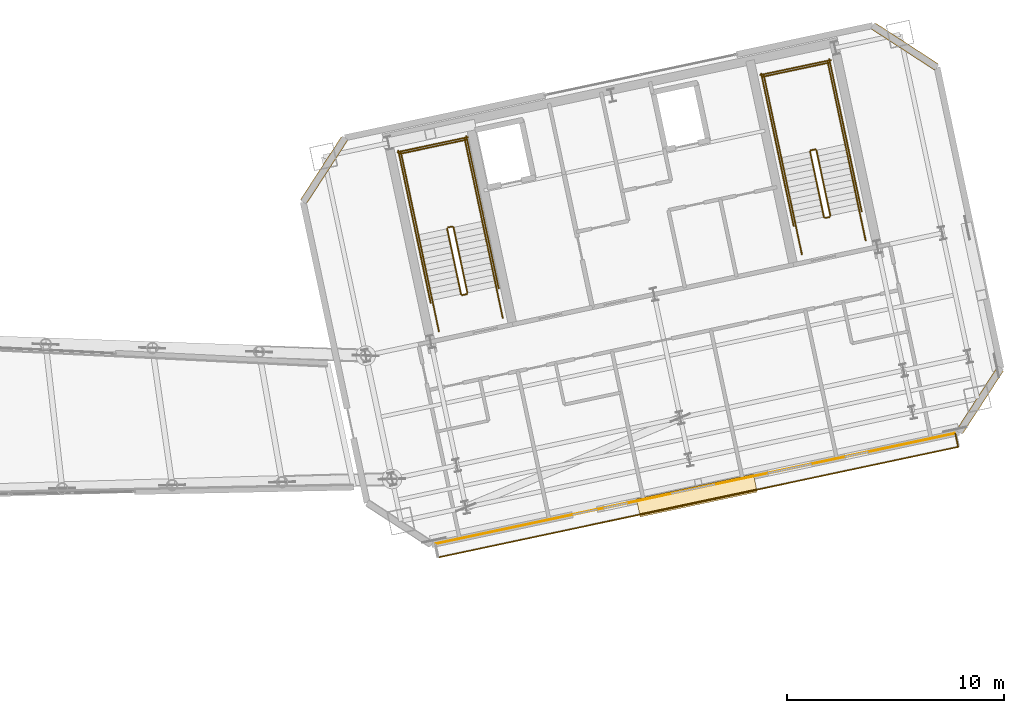
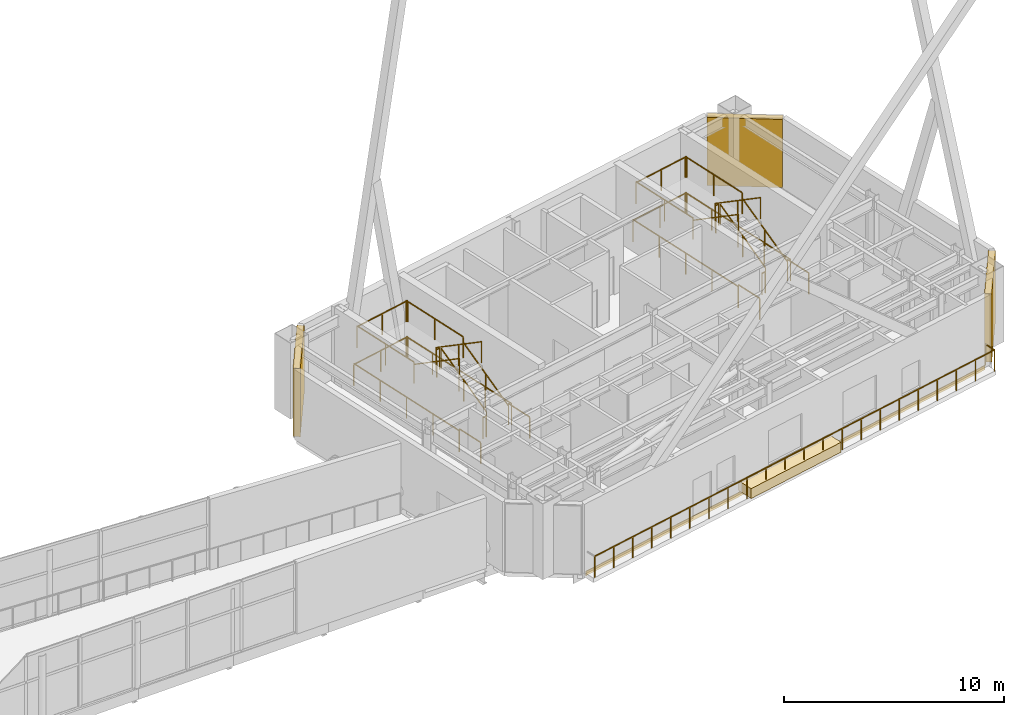
# One storey, part 23 of 23: 30 railings, 3 shading devices, 2 coverings.
"""IFC4 building model written with IfcOpenShell, lengths in metres."""

from ifc_helpers import new_model, si_unit, direction, frame, origin, origin_2d, place, context, subcontext, project, spatial, rectangle, extrude, material, layer, layer_set, type_object, element, save


model = new_model("IFC4")

# Units and contexts
model_context = context("Model", 3, precision=1e-05, world=origin(), true_north=direction((0.0, 1.0)))
body_context = subcontext(model_context, "Body", "Model", "MODEL_VIEW")
ifc_project = project(units=[si_unit("LENGTHUNIT", "METRE"), si_unit("AREAUNIT", "SQUARE_METRE"), si_unit("VOLUMEUNIT", "CUBIC_METRE"), si_unit("PLANEANGLEUNIT", "RADIAN"), si_unit("MASSUNIT", "GRAM", prefix="KILO")], contexts=[model_context])

# Site, building, storey
site_placement = place(None, origin())
site = spatial("IfcSite", under=ifc_project, at=site_placement, CompositionType="ELEMENT")
building_placement = place(site_placement, origin())
building = spatial("IfcBuilding", under=site, at=building_placement, Name="Haevon Station Towers", CompositionType="ELEMENT")
storey_placement = place(building_placement, frame((0.0, 0.0, 197.10009765625)))
storey = spatial("IfcBuildingStorey", under=building, at=storey_placement, Name="L54", CompositionType="ELEMENT", Elevation=197.10009765625)

# Covering
ifc_material_1 = material(Name="Anodised aluminium 6063-T6", Category="aluminium")
ifc_layer_1 = layer(ifc_material_1, 0.0400390625)
ifc_layer_set_1 = layer_set([ifc_layer_1], Name="Anodised aluminium 6063-T6")
covering_type_1 = type_object("IfcCoveringType", Name="COV-CLAD40", PredefinedType="CLADDING", material=ifc_layer_set_1)
covering_1_placement = place(storey_placement, frame((110.921142578125, 30.695068359375, -0.240234375), z_axis=(0.0, 0.0, 1.0), x_axis=(0.978147600734, 0.207911690818, 0.0)))
element("IfcCovering", 1, at=covering_1_placement, inside=storey, type_object=covering_type_1, Name="Tower 2 L54 Spandrel Fascia Cladding", PredefinedType="CLADDING", context=body_context, shape_type="SweptSolid", body=[
    extrude(rectangle(XDim=24.39990234375, YDim=0.0400390625, at=origin_2d()), origin(), (0.0, 0.0, 1.0), 0.239990234375),
])

# Railings
ifc_material_2 = material(Name="Steel S355", Category="steel")
railing_type_1 = type_object("IfcRailingType", Name="GRD-EXT1200", PredefinedType="GUARDRAIL", material=ifc_material_2)
railing_1_placement = place(storey_placement, frame((99.100830078125, 27.5302734375, 0.0)))
element("IfcRailing", 2, at=railing_1_placement, inside=storey, type_object=railing_type_1, Name="L54 Perimeter Guardrail 1", PredefinedType="GUARDRAIL", context=body_context, shape_type="SweptSolid", body=[
    extrude(rectangle(XDim=0.048095703125, YDim=0.048095703125, at=origin_2d()), frame((0.0, 0.0, 1.17578125), z_axis=(0.978148262927, 0.207908575418, 0.0), x_axis=(-0.207908575418, 0.978148262927, 0.0)), (0.0, 0.0, 1.0), 24.440185546875),
    extrude(rectangle(XDim=0.0419921875, YDim=0.0419921875, at=origin_2d()), origin(), (0.0, 0.0, 1.0), 1.15185546875),
    extrude(rectangle(XDim=0.0419921875, YDim=0.0419921875, at=origin_2d()), frame((1.138427734375, 0.241943359375, 0.0)), (0.0, 0.0, 1.0), 1.15185546875),
    extrude(rectangle(XDim=0.0419921875, YDim=0.0419921875, at=origin_2d()), frame((2.27685546875, 0.48388671875, 0.0)), (0.0, 0.0, 1.0), 1.15185546875),
    extrude(rectangle(XDim=0.0419921875, YDim=0.0419921875, at=origin_2d()), frame((3.4150390625, 0.725830078125, 0.0)), (0.0, 0.0, 1.0), 1.15185546875),
    extrude(rectangle(XDim=0.0419921875, YDim=0.0419921875, at=origin_2d()), frame((4.553466796875, 0.9677734375, 0.0)), (0.0, 0.0, 1.0), 1.15185546875),
    extrude(rectangle(XDim=0.0419921875, YDim=0.0419921875, at=origin_2d()), frame((5.69189453125, 1.209716796875, 0.0)), (0.0, 0.0, 1.0), 1.15185546875),
    extrude(rectangle(XDim=0.0419921875, YDim=0.0419921875, at=origin_2d()), frame((6.830322265625, 1.451904296875, 0.0)), (0.0, 0.0, 1.0), 1.15185546875),
    extrude(rectangle(XDim=0.0419921875, YDim=0.0419921875, at=origin_2d()), frame((7.96875, 1.69384765625, 0.0)), (0.0, 0.0, 1.0), 1.15185546875),
    extrude(rectangle(XDim=0.0419921875, YDim=0.0419921875, at=origin_2d()), frame((9.10693359375, 1.935791015625, 0.0)), (0.0, 0.0, 1.0), 1.15185546875),
    extrude(rectangle(XDim=0.0419921875, YDim=0.0419921875, at=origin_2d()), frame((10.245361328125, 2.177734375, 0.0)), (0.0, 0.0, 1.0), 1.15185546875),
    extrude(rectangle(XDim=0.0419921875, YDim=0.0419921875, at=origin_2d()), frame((11.3837890625, 2.419677734375, 0.0)), (0.0, 0.0, 1.0), 1.15185546875),
    extrude(rectangle(XDim=0.0419921875, YDim=0.0419921875, at=origin_2d()), frame((12.522216796875, 2.66162109375, 0.0)), (0.0, 0.0, 1.0), 1.15185546875),
    extrude(rectangle(XDim=0.0419921875, YDim=0.0419921875, at=origin_2d()), frame((13.66064453125, 2.903564453125, 0.0)), (0.0, 0.0, 1.0), 1.15185546875),
    extrude(rectangle(XDim=0.0419921875, YDim=0.0419921875, at=origin_2d()), frame((14.799072265625, 3.1455078125, 0.0)), (0.0, 0.0, 1.0), 1.15185546875),
    extrude(rectangle(XDim=0.0419921875, YDim=0.0419921875, at=origin_2d()), frame((15.937255859375, 3.387451171875, 0.0)), (0.0, 0.0, 1.0), 1.15185546875),
    extrude(rectangle(XDim=0.0419921875, YDim=0.0419921875, at=origin_2d()), frame((17.07568359375, 3.62939453125, 0.0)), (0.0, 0.0, 1.0), 1.15185546875),
    extrude(rectangle(XDim=0.0419921875, YDim=0.0419921875, at=origin_2d()), frame((18.214111328125, 3.87158203125, 0.0)), (0.0, 0.0, 1.0), 1.15185546875),
    extrude(rectangle(XDim=0.0419921875, YDim=0.0419921875, at=origin_2d()), frame((19.3525390625, 4.113525390625, 0.0)), (0.0, 0.0, 1.0), 1.15185546875),
    extrude(rectangle(XDim=0.0419921875, YDim=0.0419921875, at=origin_2d()), frame((20.490966796875, 4.35546875, 0.0)), (0.0, 0.0, 1.0), 1.15185546875),
    extrude(rectangle(XDim=0.0419921875, YDim=0.0419921875, at=origin_2d()), frame((21.629150390625, 4.597412109375, 0.0)), (0.0, 0.0, 1.0), 1.15185546875),
    extrude(rectangle(XDim=0.0419921875, YDim=0.0419921875, at=origin_2d()), frame((22.767578125, 4.83935546875, 0.0)), (0.0, 0.0, 1.0), 1.15185546875),
    extrude(rectangle(XDim=0.0419921875, YDim=0.0419921875, at=origin_2d()), frame((23.906005859375, 5.081298828125, 0.0)), (0.0, 0.0, 1.0), 1.15185546875),
])
railing_2_placement = place(storey_placement, frame((123.0068359375, 32.611572265625, 0.0)))
element("IfcRailing", 3, at=railing_2_placement, inside=storey, type_object=railing_type_1, Name="L54 Perimeter Guardrail 2", PredefinedType="GUARDRAIL", context=body_context, shape_type="SweptSolid", body=[
    extrude(rectangle(XDim=0.048095703125, YDim=0.048095703125, at=origin_2d()), frame((0.0, 0.0, 1.17578125), z_axis=(-0.208154897238, 0.97809587401, 0.0), x_axis=(-0.97809587401, -0.208154897238, 0.0)), (0.0, 0.0, 1.0), 0.631103515625),
    extrude(rectangle(XDim=0.0419921875, YDim=0.0419921875, at=origin_2d()), origin(), (0.0, 0.0, 1.0), 1.15185546875),
    extrude(rectangle(XDim=0.0419921875, YDim=0.0419921875, at=origin_2d()), frame((-0.13134765625, 0.6171875, 0.0)), (0.0, 0.0, 1.0), 1.15185546875),
])
railing_type_2 = type_object("IfcRailingType", Name="GRD-STR1200", PredefinedType="GUARDRAIL", material=ifc_material_2)
railing_3_placement = place(storey_placement, frame((100.44140625, 39.69287109375, 0.1748046875)))
element("IfcRailing", 4, at=railing_3_placement, inside=storey, type_object=railing_type_2, Name="L54 ST3 Stair Guard 1", PredefinedType="GUARDRAIL", context=body_context, shape_type="SweptSolid", body=[
    extrude(rectangle(XDim=0.048095703125, YDim=0.048095703125, at=origin_2d()), frame((0.0, 0.0, 1.17578125), z_axis=(-0.176310905062, 0.829461139329, 0.53000819154), x_axis=(-0.978146762005, -0.207915636689, 0.0)), (0.0, 0.0, 1.0), 3.632080078125),
    extrude(rectangle(XDim=0.0419921875, YDim=0.0419921875, at=origin_2d()), origin(), (0.0, 0.0, 1.0), 1.15185546875),
    extrude(rectangle(XDim=0.0419921875, YDim=0.0419921875, at=origin_2d()), frame((-0.3203125, 1.50634765625, 0.96240234375)), (0.0, 0.0, 1.0), 1.15185546875),
    extrude(rectangle(XDim=0.0419921875, YDim=0.0419921875, at=origin_2d()), frame((-0.640380859375, 3.0126953125, 1.925048828125)), (0.0, 0.0, 1.0), 1.15185546875),
])
railing_4_placement = place(storey_placement, frame((99.74169921875, 42.743896484375, 2.099853515625)))
element("IfcRailing", 5, at=railing_4_placement, inside=storey, type_object=railing_type_2, Name="L54 ST3 Stair Guard 2", PredefinedType="GUARDRAIL", context=body_context, shape_type="SweptSolid", body=[
    extrude(rectangle(XDim=0.048095703125, YDim=0.048095703125, at=origin_2d()), frame((0.0, 0.0, 1.17578125), z_axis=(-0.978211583308, -0.207610448392, 0.0), x_axis=(0.207610448392, -0.978211583308, 0.0)), (0.0, 0.0, 1.0), 0.199951171875),
    extrude(rectangle(XDim=0.0419921875, YDim=0.0419921875, at=origin_2d()), origin(), (0.0, 0.0, 1.0), 1.15185546875),
    extrude(rectangle(XDim=0.0419921875, YDim=0.0419921875, at=origin_2d()), frame((-0.195556640625, -0.04150390625, 0.0)), (0.0, 0.0, 1.0), 1.15185546875),
])
railing_5_placement = place(storey_placement, frame((101.12158203125, 42.986083984375, 2.099853515625)))
element("IfcRailing", 6, at=railing_5_placement, inside=storey, type_object=railing_type_2, Name="L54 ST3 Stair Guard 3", PredefinedType="GUARDRAIL", context=body_context, shape_type="SweptSolid", body=[
    extrude(rectangle(XDim=0.048095703125, YDim=0.048095703125, at=origin_2d()), frame((0.0, 0.0, 1.17578125), z_axis=(-0.207930432828, 0.978143616809, 0.0), x_axis=(-0.978143616809, -0.207930432828, 0.0)), (0.0, 0.0, 1.0), 3.869873046875),
    extrude(rectangle(XDim=0.0419921875, YDim=0.0419921875, at=origin_2d()), origin(), (0.0, 0.0, 1.0), 1.15185546875),
    extrude(rectangle(XDim=0.0419921875, YDim=0.0419921875, at=origin_2d()), frame((-0.40234375, 1.892578125, 0.0)), (0.0, 0.0, 1.0), 1.15185546875),
    extrude(rectangle(XDim=0.0419921875, YDim=0.0419921875, at=origin_2d()), frame((-0.8046875, 3.785400390625, 0.0)), (0.0, 0.0, 1.0), 1.15185546875),
])
railing_6_placement = place(storey_placement, frame((98.18701171875, 42.3623046875, 2.099853515625)))
element("IfcRailing", 7, at=railing_6_placement, inside=storey, type_object=railing_type_2, Name="L54 ST3 Stair Guard 4", PredefinedType="GUARDRAIL", context=body_context, shape_type="SweptSolid", body=[
    extrude(rectangle(XDim=0.048095703125, YDim=0.048095703125, at=origin_2d()), frame((0.0, 0.0, 1.17578125), z_axis=(-0.207857246892, 0.978159171564, 0.0), x_axis=(-0.978159171564, -0.207857246892, 0.0)), (0.0, 0.0, 1.0), 3.8701171875),
    extrude(rectangle(XDim=0.0419921875, YDim=0.0419921875, at=origin_2d()), origin(), (0.0, 0.0, 1.0), 1.15185546875),
    extrude(rectangle(XDim=0.0419921875, YDim=0.0419921875, at=origin_2d()), frame((-0.40234375, 1.892822265625, 0.0)), (0.0, 0.0, 1.0), 1.15185546875),
    extrude(rectangle(XDim=0.0419921875, YDim=0.0419921875, at=origin_2d()), frame((-0.804443359375, 3.78564453125, 0.0)), (0.0, 0.0, 1.0), 1.15185546875),
])
railing_7_placement = place(storey_placement, frame((100.376220703125, 46.733154296875, 2.099853515625)))
element("IfcRailing", 8, at=railing_7_placement, inside=storey, type_object=railing_type_2, Name="L54 ST3 Stair Guard 5", PredefinedType="GUARDRAIL", context=body_context, shape_type="SweptSolid", body=[
    extrude(rectangle(XDim=0.048095703125, YDim=0.048095703125, at=origin_2d()), frame((0.0, 0.0, 1.17578125), z_axis=(-0.978146839882, -0.207915270313, 0.0), x_axis=(0.207915270313, -0.978146839882, 0.0)), (0.0, 0.0, 1.0), 3.099853515625),
    extrude(rectangle(XDim=0.0419921875, YDim=0.0419921875, at=origin_2d()), origin(), (0.0, 0.0, 1.0), 1.15185546875),
    extrude(rectangle(XDim=0.0419921875, YDim=0.0419921875, at=origin_2d()), frame((-1.51611328125, -0.322265625, 0.0)), (0.0, 0.0, 1.0), 1.15185546875),
    extrude(rectangle(XDim=0.0419921875, YDim=0.0419921875, at=origin_2d()), frame((-3.0322265625, -0.64453125, 0.0)), (0.0, 0.0, 1.0), 1.15185546875),
])
railing_8_placement = place(storey_placement, frame((99.507568359375, 42.64306640625, 2.27490234375)))
element("IfcRailing", 9, at=railing_8_placement, inside=storey, type_object=railing_type_2, Name="L54 ST3 Stair Guard 6", PredefinedType="GUARDRAIL", context=body_context, shape_type="SweptSolid", body=[
    extrude(rectangle(XDim=0.048095703125, YDim=0.048095703125, at=origin_2d()), frame((0.0, 0.0, 1.17578125), z_axis=(0.176310905062, -0.829461139329, 0.53000819154), x_axis=(0.978146762005, 0.207915636689, 0.0)), (0.0, 0.0, 1.0), 3.632080078125),
    extrude(rectangle(XDim=0.0419921875, YDim=0.0419921875, at=origin_2d()), origin(), (0.0, 0.0, 1.0), 1.15185546875),
    extrude(rectangle(XDim=0.0419921875, YDim=0.0419921875, at=origin_2d()), frame((0.3203125, -1.50634765625, 0.96240234375)), (0.0, 0.0, 1.0), 1.15185546875),
    extrude(rectangle(XDim=0.0419921875, YDim=0.0419921875, at=origin_2d()), frame((0.640380859375, -3.0126953125, 1.925048828125)), (0.0, 0.0, 1.0), 1.15185546875),
])
railing_9_placement = place(storey_placement, frame((100.40283203125, 39.633544921875, 0.0)))
element("IfcRailing", 10, at=railing_9_placement, inside=storey, type_object=railing_type_2, Name="L54 ST3 Stair Guard 7", PredefinedType="GUARDRAIL", context=body_context, shape_type="SweptSolid", body=[
    extrude(rectangle(XDim=0.048095703125, YDim=0.048095703125, at=origin_2d()), frame((0.0, 0.0, 1.17578125), z_axis=(-0.977962931203, -0.208778603291, 0.0), x_axis=(0.208778603291, -0.977962931203, 0.0)), (0.0, 0.0, 1.0), 0.199951171875),
    extrude(rectangle(XDim=0.0419921875, YDim=0.0419921875, at=origin_2d()), origin(), (0.0, 0.0, 1.0), 1.15185546875),
    extrude(rectangle(XDim=0.0419921875, YDim=0.0419921875, at=origin_2d()), frame((-0.195556640625, -0.041748046875, 0.0)), (0.0, 0.0, 1.0), 1.15185546875),
])
for number, where, name in (
    (11, (102.0634765625, 38.55517578125, 0.0), "L54 ST3 Stair Guard 8"),
    (12, (99.12890625, 37.931396484375, 0.0), "L54 ST3 Stair Guard 9"),
):
    element("IfcRailing", number, at=place(storey_placement, frame(where)), inside=storey, type_object=railing_type_2, Name=name, PredefinedType="GUARDRAIL", context=body_context, shape_type="SweptSolid", body=[
        extrude(rectangle(XDim=0.048095703125, YDim=0.048095703125, at=origin_2d()), frame((0.0, 0.0, 1.17578125), z_axis=(-0.207953405961, 0.978138732977, 0.0), x_axis=(-0.978138732977, -0.207953405961, 0.0)), (0.0, 0.0, 1.0), 1.449951171875),
        extrude(rectangle(XDim=0.0419921875, YDim=0.0419921875, at=origin_2d()), origin(), (0.0, 0.0, 1.0), 1.15185546875),
        extrude(rectangle(XDim=0.0419921875, YDim=0.0419921875, at=origin_2d()), frame((-0.301513671875, 1.418212890625, 0.0)), (0.0, 0.0, 1.0), 1.15185546875),
    ])
railing_10_placement = place(storey_placement, frame((101.88037109375, 39.896484375, 0.0)))
element("IfcRailing", 13, at=railing_10_placement, inside=storey, type_object=railing_type_2, Name="L54 ST3 Stair Guard 10", PredefinedType="GUARDRAIL", context=body_context, shape_type="SweptSolid", body=[
    extrude(rectangle(XDim=0.048095703125, YDim=0.048095703125, at=origin_2d()), frame((0.0, 0.0, 1.17578125), z_axis=(-0.207882442208, 0.978153817261, 0.0), x_axis=(-0.978153817261, -0.207882442208, 0.0)), (0.0, 0.0, 1.0), 7.14990234375),
    extrude(rectangle(XDim=0.0419921875, YDim=0.0419921875, at=origin_2d()), origin(), (0.0, 0.0, 1.0), 1.15185546875),
    extrude(rectangle(XDim=0.0419921875, YDim=0.0419921875, at=origin_2d()), frame((-0.37158203125, 1.74853515625, 0.0)), (0.0, 0.0, 1.0), 1.15185546875),
    extrude(rectangle(XDim=0.0419921875, YDim=0.0419921875, at=origin_2d()), frame((-0.7431640625, 3.496826171875, 0.0)), (0.0, 0.0, 1.0), 1.15185546875),
    extrude(rectangle(XDim=0.0419921875, YDim=0.0419921875, at=origin_2d()), frame((-1.11474609375, 5.2451171875, 0.0)), (0.0, 0.0, 1.0), 1.15185546875),
    extrude(rectangle(XDim=0.0419921875, YDim=0.0419921875, at=origin_2d()), frame((-1.486328125, 6.99365234375, 0.0)), (0.0, 0.0, 1.0), 1.15185546875),
])
railing_11_placement = place(storey_placement, frame((98.75048828125, 39.231201171875, 0.0)))
element("IfcRailing", 14, at=railing_11_placement, inside=storey, type_object=railing_type_2, Name="L54 ST3 Stair Guard 11", PredefinedType="GUARDRAIL", context=body_context, shape_type="SweptSolid", body=[
    extrude(rectangle(XDim=0.048095703125, YDim=0.048095703125, at=origin_2d()), frame((0.0, 0.0, 1.17578125), z_axis=(-0.207915112487, 0.978146873429, 0.0), x_axis=(-0.978146873429, -0.207915112487, 0.0)), (0.0, 0.0, 1.0), 7.14990234375),
    extrude(rectangle(XDim=0.0419921875, YDim=0.0419921875, at=origin_2d()), origin(), (0.0, 0.0, 1.0), 1.15185546875),
    extrude(rectangle(XDim=0.0419921875, YDim=0.0419921875, at=origin_2d()), frame((-0.37158203125, 1.74853515625, 0.0)), (0.0, 0.0, 1.0), 1.15185546875),
    extrude(rectangle(XDim=0.0419921875, YDim=0.0419921875, at=origin_2d()), frame((-0.7431640625, 3.496826171875, 0.0)), (0.0, 0.0, 1.0), 1.15185546875),
    extrude(rectangle(XDim=0.0419921875, YDim=0.0419921875, at=origin_2d()), frame((-1.114990234375, 5.2451171875, 0.0)), (0.0, 0.0, 1.0), 1.15185546875),
    extrude(rectangle(XDim=0.0419921875, YDim=0.0419921875, at=origin_2d()), frame((-1.486572265625, 6.99365234375, 0.0)), (0.0, 0.0, 1.0), 1.15185546875),
])
railing_12_placement = place(storey_placement, frame((100.453125, 46.8515625, 0.0)))
element("IfcRailing", 15, at=railing_12_placement, inside=storey, type_object=railing_type_2, Name="L54 ST3 Stair Guard 12", PredefinedType="GUARDRAIL", context=body_context, shape_type="SweptSolid", body=[
    extrude(rectangle(XDim=0.048095703125, YDim=0.048095703125, at=origin_2d()), frame((0.0, 0.0, 1.17578125), z_axis=(-0.978150764849, -0.207896804268, 0.0), x_axis=(0.207896804268, -0.978150764849, 0.0)), (0.0, 0.0, 1.0), 3.2998046875),
    extrude(rectangle(XDim=0.0419921875, YDim=0.0419921875, at=origin_2d()), origin(), (0.0, 0.0, 1.0), 1.15185546875),
    extrude(rectangle(XDim=0.0419921875, YDim=0.0419921875, at=origin_2d()), frame((-1.61376953125, -0.343017578125, 0.0)), (0.0, 0.0, 1.0), 1.15185546875),
    extrude(rectangle(XDim=0.0419921875, YDim=0.0419921875, at=origin_2d()), frame((-3.227783203125, -0.68603515625, 0.0)), (0.0, 0.0, 1.0), 1.15185546875),
])
railing_13_placement = place(storey_placement, frame((117.128662109375, 43.23974609375, 0.1748046875)))
element("IfcRailing", 16, at=railing_13_placement, inside=storey, type_object=railing_type_2, Name="L54 ST4 Stair Guard 1", PredefinedType="GUARDRAIL", context=body_context, shape_type="SweptSolid", body=[
    extrude(rectangle(XDim=0.048095703125, YDim=0.048095703125, at=origin_2d()), frame((0.0, 0.0, 1.17578125), z_axis=(-0.176310905062, 0.829461139329, 0.53000819154), x_axis=(-0.978146762005, -0.207915636689, 0.0)), (0.0, 0.0, 1.0), 3.632080078125),
    extrude(rectangle(XDim=0.0419921875, YDim=0.0419921875, at=origin_2d()), origin(), (0.0, 0.0, 1.0), 1.15185546875),
    extrude(rectangle(XDim=0.0419921875, YDim=0.0419921875, at=origin_2d()), frame((-0.3203125, 1.50634765625, 0.96240234375)), (0.0, 0.0, 1.0), 1.15185546875),
    extrude(rectangle(XDim=0.0419921875, YDim=0.0419921875, at=origin_2d()), frame((-0.640380859375, 3.0126953125, 1.925048828125)), (0.0, 0.0, 1.0), 1.15185546875),
])
railing_14_placement = place(storey_placement, frame((116.428955078125, 46.291015625, 2.099853515625)))
element("IfcRailing", 17, at=railing_14_placement, inside=storey, type_object=railing_type_2, Name="L54 ST4 Stair Guard 2", PredefinedType="GUARDRAIL", context=body_context, shape_type="SweptSolid", body=[
    extrude(rectangle(XDim=0.048095703125, YDim=0.048095703125, at=origin_2d()), frame((0.0, 0.0, 1.17578125), z_axis=(-0.977962931203, -0.208778603291, 0.0), x_axis=(0.208778603291, -0.977962931203, 0.0)), (0.0, 0.0, 1.0), 0.199951171875),
    extrude(rectangle(XDim=0.0419921875, YDim=0.0419921875, at=origin_2d()), origin(), (0.0, 0.0, 1.0), 1.15185546875),
    extrude(rectangle(XDim=0.0419921875, YDim=0.0419921875, at=origin_2d()), frame((-0.195556640625, -0.041748046875, 0.0)), (0.0, 0.0, 1.0), 1.15185546875),
])
for number, where, name in (
    (18, (117.808837890625, 46.533203125, 2.099853515625), "L54 ST4 Stair Guard 3"),
    (19, (114.874267578125, 45.909423828125, 2.099853515625), "L54 ST4 Stair Guard 4"),
):
    element("IfcRailing", number, at=place(storey_placement, frame(where)), inside=storey, type_object=railing_type_2, Name=name, PredefinedType="GUARDRAIL", context=body_context, shape_type="SweptSolid", body=[
        extrude(rectangle(XDim=0.048095703125, YDim=0.048095703125, at=origin_2d()), frame((0.0, 0.0, 1.17578125), z_axis=(-0.207930432828, 0.978143616809, 0.0), x_axis=(-0.978143616809, -0.207930432828, 0.0)), (0.0, 0.0, 1.0), 3.869873046875),
        extrude(rectangle(XDim=0.0419921875, YDim=0.0419921875, at=origin_2d()), origin(), (0.0, 0.0, 1.0), 1.15185546875),
        extrude(rectangle(XDim=0.0419921875, YDim=0.0419921875, at=origin_2d()), frame((-0.40234375, 1.892578125, 0.0)), (0.0, 0.0, 1.0), 1.15185546875),
        extrude(rectangle(XDim=0.0419921875, YDim=0.0419921875, at=origin_2d()), frame((-0.8046875, 3.785400390625, 0.0)), (0.0, 0.0, 1.0), 1.15185546875),
    ])
railing_15_placement = place(storey_placement, frame((117.0634765625, 50.280029296875, 2.099853515625)))
element("IfcRailing", 20, at=railing_15_placement, inside=storey, type_object=railing_type_2, Name="L54 ST4 Stair Guard 5", PredefinedType="GUARDRAIL", context=body_context, shape_type="SweptSolid", body=[
    extrude(rectangle(XDim=0.048095703125, YDim=0.048095703125, at=origin_2d()), frame((0.0, 0.0, 1.17578125), z_axis=(-0.978146839882, -0.207915270313, 0.0), x_axis=(0.207915270313, -0.978146839882, 0.0)), (0.0, 0.0, 1.0), 3.099853515625),
    extrude(rectangle(XDim=0.0419921875, YDim=0.0419921875, at=origin_2d()), origin(), (0.0, 0.0, 1.0), 1.15185546875),
    extrude(rectangle(XDim=0.0419921875, YDim=0.0419921875, at=origin_2d()), frame((-1.51611328125, -0.322265625, 0.0)), (0.0, 0.0, 1.0), 1.15185546875),
    extrude(rectangle(XDim=0.0419921875, YDim=0.0419921875, at=origin_2d()), frame((-3.0322265625, -0.64453125, 0.0)), (0.0, 0.0, 1.0), 1.15185546875),
])
railing_16_placement = place(storey_placement, frame((116.19482421875, 46.18994140625, 2.27490234375)))
element("IfcRailing", 21, at=railing_16_placement, inside=storey, type_object=railing_type_2, Name="L54 ST4 Stair Guard 6", PredefinedType="GUARDRAIL", context=body_context, shape_type="SweptSolid", body=[
    extrude(rectangle(XDim=0.048095703125, YDim=0.048095703125, at=origin_2d()), frame((0.0, 0.0, 1.17578125), z_axis=(0.176310905062, -0.829461139329, 0.53000819154), x_axis=(0.978146762005, 0.207915636689, 0.0)), (0.0, 0.0, 1.0), 3.632080078125),
    extrude(rectangle(XDim=0.0419921875, YDim=0.0419921875, at=origin_2d()), origin(), (0.0, 0.0, 1.0), 1.15185546875),
    extrude(rectangle(XDim=0.0419921875, YDim=0.0419921875, at=origin_2d()), frame((0.3203125, -1.50634765625, 0.96240234375)), (0.0, 0.0, 1.0), 1.15185546875),
    extrude(rectangle(XDim=0.0419921875, YDim=0.0419921875, at=origin_2d()), frame((0.640380859375, -3.0126953125, 1.925048828125)), (0.0, 0.0, 1.0), 1.15185546875),
])
railing_17_placement = place(storey_placement, frame((117.090087890625, 43.180419921875, 0.0)))
element("IfcRailing", 22, at=railing_17_placement, inside=storey, type_object=railing_type_2, Name="L54 ST4 Stair Guard 7", PredefinedType="GUARDRAIL", context=body_context, shape_type="SweptSolid", body=[
    extrude(rectangle(XDim=0.048095703125, YDim=0.048095703125, at=origin_2d()), frame((0.0, 0.0, 1.17578125), z_axis=(-0.978211583308, -0.207610448392, 0.0), x_axis=(0.207610448392, -0.978211583308, 0.0)), (0.0, 0.0, 1.0), 0.199951171875),
    extrude(rectangle(XDim=0.0419921875, YDim=0.0419921875, at=origin_2d()), origin(), (0.0, 0.0, 1.0), 1.15185546875),
    extrude(rectangle(XDim=0.0419921875, YDim=0.0419921875, at=origin_2d()), frame((-0.195556640625, -0.04150390625, 0.0)), (0.0, 0.0, 1.0), 1.15185546875),
])
for number, where, name in (
    (23, (118.75048828125, 42.10205078125, 0.0), "L54 ST4 Stair Guard 8"),
    (24, (115.816162109375, 41.478271484375, 0.0), "L54 ST4 Stair Guard 9"),
):
    element("IfcRailing", number, at=place(storey_placement, frame(where)), inside=storey, type_object=railing_type_2, Name=name, PredefinedType="GUARDRAIL", context=body_context, shape_type="SweptSolid", body=[
        extrude(rectangle(XDim=0.048095703125, YDim=0.048095703125, at=origin_2d()), frame((0.0, 0.0, 1.17578125), z_axis=(-0.207919161079, 0.978146012851, 0.0), x_axis=(-0.978146012851, -0.207919161079, 0.0)), (0.0, 0.0, 1.0), 1.4501953125),
        extrude(rectangle(XDim=0.0419921875, YDim=0.0419921875, at=origin_2d()), origin(), (0.0, 0.0, 1.0), 1.15185546875),
        extrude(rectangle(XDim=0.0419921875, YDim=0.0419921875, at=origin_2d()), frame((-0.301513671875, 1.41845703125, 0.0)), (0.0, 0.0, 1.0), 1.15185546875),
    ])
railing_18_placement = place(storey_placement, frame((118.567626953125, 43.443359375, 0.0)))
element("IfcRailing", 25, at=railing_18_placement, inside=storey, type_object=railing_type_2, Name="L54 ST4 Stair Guard 10", PredefinedType="GUARDRAIL", context=body_context, shape_type="SweptSolid", body=[
    extrude(rectangle(XDim=0.048095703125, YDim=0.048095703125, at=origin_2d()), frame((0.0, 0.0, 1.17578125), z_axis=(-0.207908168386, 0.978148349443, 0.0), x_axis=(-0.978148349443, -0.207908168386, 0.0)), (0.0, 0.0, 1.0), 7.150146484375),
    extrude(rectangle(XDim=0.0419921875, YDim=0.0419921875, at=origin_2d()), origin(), (0.0, 0.0, 1.0), 1.15185546875),
    extrude(rectangle(XDim=0.0419921875, YDim=0.0419921875, at=origin_2d()), frame((-0.37158203125, 1.74853515625, 0.0)), (0.0, 0.0, 1.0), 1.15185546875),
    extrude(rectangle(XDim=0.0419921875, YDim=0.0419921875, at=origin_2d()), frame((-0.7431640625, 3.4970703125, 0.0)), (0.0, 0.0, 1.0), 1.15185546875),
    extrude(rectangle(XDim=0.0419921875, YDim=0.0419921875, at=origin_2d()), frame((-1.114990234375, 5.245361328125, 0.0)), (0.0, 0.0, 1.0), 1.15185546875),
    extrude(rectangle(XDim=0.0419921875, YDim=0.0419921875, at=origin_2d()), frame((-1.486572265625, 6.993896484375, 0.0)), (0.0, 0.0, 1.0), 1.15185546875),
])
railing_19_placement = place(storey_placement, frame((115.4375, 42.778076171875, 0.0)))
element("IfcRailing", 26, at=railing_19_placement, inside=storey, type_object=railing_type_2, Name="L54 ST4 Stair Guard 11", PredefinedType="GUARDRAIL", context=body_context, shape_type="SweptSolid", body=[
    extrude(rectangle(XDim=0.048095703125, YDim=0.048095703125, at=origin_2d()), frame((0.0, 0.0, 1.17578125), z_axis=(-0.207882442208, 0.978153817261, 0.0), x_axis=(-0.978153817261, -0.207882442208, 0.0)), (0.0, 0.0, 1.0), 7.14990234375),
    extrude(rectangle(XDim=0.0419921875, YDim=0.0419921875, at=origin_2d()), origin(), (0.0, 0.0, 1.0), 1.15185546875),
    extrude(rectangle(XDim=0.0419921875, YDim=0.0419921875, at=origin_2d()), frame((-0.37158203125, 1.74853515625, 0.0)), (0.0, 0.0, 1.0), 1.15185546875),
    extrude(rectangle(XDim=0.0419921875, YDim=0.0419921875, at=origin_2d()), frame((-0.7431640625, 3.496826171875, 0.0)), (0.0, 0.0, 1.0), 1.15185546875),
    extrude(rectangle(XDim=0.0419921875, YDim=0.0419921875, at=origin_2d()), frame((-1.11474609375, 5.2451171875, 0.0)), (0.0, 0.0, 1.0), 1.15185546875),
    extrude(rectangle(XDim=0.0419921875, YDim=0.0419921875, at=origin_2d()), frame((-1.486328125, 6.99365234375, 0.0)), (0.0, 0.0, 1.0), 1.15185546875),
])
railing_20_placement = place(storey_placement, frame((117.140380859375, 50.398681640625, 0.0)))
element("IfcRailing", 27, at=railing_20_placement, inside=storey, type_object=railing_type_2, Name="L54 ST4 Stair Guard 12", PredefinedType="GUARDRAIL", context=body_context, shape_type="SweptSolid", body=[
    extrude(rectangle(XDim=0.048095703125, YDim=0.048095703125, at=origin_2d()), frame((0.0, 0.0, 1.17578125), z_axis=(-0.978135717418, -0.207967589567, 0.0), x_axis=(0.207967589567, -0.978135717418, 0.0)), (0.0, 0.0, 1.0), 3.300048828125),
    extrude(rectangle(XDim=0.0419921875, YDim=0.0419921875, at=origin_2d()), origin(), (0.0, 0.0, 1.0), 1.15185546875),
    extrude(rectangle(XDim=0.0419921875, YDim=0.0419921875, at=origin_2d()), frame((-1.61376953125, -0.34326171875, 0.0)), (0.0, 0.0, 1.0), 1.15185546875),
    extrude(rectangle(XDim=0.0419921875, YDim=0.0419921875, at=origin_2d()), frame((-3.227783203125, -0.686279296875, 0.0)), (0.0, 0.0, 1.0), 1.15185546875),
])
railing_type_3 = type_object("IfcRailingType", Name="HND-STR900", PredefinedType="HANDRAIL", material=ifc_material_2)
railing_21_placement = place(storey_placement, frame((101.761962890625, 39.973388671875, 0.1748046875)))
element("IfcRailing", 28, at=railing_21_placement, inside=storey, type_object=railing_type_3, Name="L54 ST3 Stair Handrail 1", PredefinedType="HANDRAIL", context=body_context, shape_type="SweptSolid", body=[
    extrude(rectangle(XDim=0.048095703125, YDim=0.048095703125, at=origin_2d()), frame((0.0, 0.0, 0.8759765625), z_axis=(-0.176310905062, 0.829461139329, 0.53000819154), x_axis=(-0.978146762005, -0.207915636689, 0.0)), (0.0, 0.0, 1.0), 3.632080078125),
    extrude(rectangle(XDim=0.0419921875, YDim=0.0419921875, at=origin_2d()), origin(), (0.0, 0.0, 1.0), 0.851806640625),
    extrude(rectangle(XDim=0.0419921875, YDim=0.0419921875, at=origin_2d()), frame((-0.3203125, 1.50634765625, 0.96240234375)), (0.0, 0.0, 1.0), 0.851806640625),
    extrude(rectangle(XDim=0.0419921875, YDim=0.0419921875, at=origin_2d()), frame((-0.640380859375, 3.0126953125, 1.925048828125)), (0.0, 0.0, 1.0), 0.851806640625),
])
railing_22_placement = place(storey_placement, frame((98.18701171875, 42.3623046875, 2.27490234375)))
element("IfcRailing", 29, at=railing_22_placement, inside=storey, type_object=railing_type_3, Name="L54 ST3 Stair Handrail 2", PredefinedType="HANDRAIL", context=body_context, shape_type="SweptSolid", body=[
    extrude(rectangle(XDim=0.048095703125, YDim=0.048095703125, at=origin_2d()), frame((0.0, 0.0, 0.8759765625), z_axis=(0.176310905062, -0.829461139329, 0.53000819154), x_axis=(0.978146762005, 0.207915636689, 0.0)), (0.0, 0.0, 1.0), 3.632080078125),
    extrude(rectangle(XDim=0.0419921875, YDim=0.0419921875, at=origin_2d()), origin(), (0.0, 0.0, 1.0), 0.851806640625),
    extrude(rectangle(XDim=0.0419921875, YDim=0.0419921875, at=origin_2d()), frame((0.3203125, -1.50634765625, 0.96240234375)), (0.0, 0.0, 1.0), 0.851806640625),
    extrude(rectangle(XDim=0.0419921875, YDim=0.0419921875, at=origin_2d()), frame((0.640380859375, -3.0126953125, 1.925048828125)), (0.0, 0.0, 1.0), 0.851806640625),
])
railing_23_placement = place(storey_placement, frame((118.448974609375, 43.5205078125, 0.1748046875)))
element("IfcRailing", 30, at=railing_23_placement, inside=storey, type_object=railing_type_3, Name="L54 ST4 Stair Handrail 1", PredefinedType="HANDRAIL", context=body_context, shape_type="SweptSolid", body=[
    extrude(rectangle(XDim=0.048095703125, YDim=0.048095703125, at=origin_2d()), frame((0.0, 0.0, 0.8759765625), z_axis=(-0.176245776117, 0.829470967688, 0.530014471655), x_axis=(-0.978162879887, -0.207839795062, 0.0)), (0.0, 0.0, 1.0), 3.632080078125),
    extrude(rectangle(XDim=0.0419921875, YDim=0.0419921875, at=origin_2d()), origin(), (0.0, 0.0, 1.0), 0.851806640625),
    extrude(rectangle(XDim=0.0419921875, YDim=0.0419921875, at=origin_2d()), frame((-0.320068359375, 1.50634765625, 0.96240234375)), (0.0, 0.0, 1.0), 0.851806640625),
    extrude(rectangle(XDim=0.0419921875, YDim=0.0419921875, at=origin_2d()), frame((-0.64013671875, 3.0126953125, 1.925048828125)), (0.0, 0.0, 1.0), 0.851806640625),
])
railing_24_placement = place(storey_placement, frame((114.874267578125, 45.909423828125, 2.27490234375)))
element("IfcRailing", 31, at=railing_24_placement, inside=storey, type_object=railing_type_3, Name="L54 ST4 Stair Handrail 2", PredefinedType="HANDRAIL", context=body_context, shape_type="SweptSolid", body=[
    extrude(rectangle(XDim=0.048095703125, YDim=0.048095703125, at=origin_2d()), frame((0.0, 0.0, 0.8759765625), z_axis=(0.176310905062, -0.829461139329, 0.53000819154), x_axis=(0.978146762005, 0.207915636689, 0.0)), (0.0, 0.0, 1.0), 3.632080078125),
    extrude(rectangle(XDim=0.0419921875, YDim=0.0419921875, at=origin_2d()), origin(), (0.0, 0.0, 1.0), 0.851806640625),
    extrude(rectangle(XDim=0.0419921875, YDim=0.0419921875, at=origin_2d()), frame((0.3203125, -1.50634765625, 0.96240234375)), (0.0, 0.0, 1.0), 0.851806640625),
    extrude(rectangle(XDim=0.0419921875, YDim=0.0419921875, at=origin_2d()), frame((0.640380859375, -3.0126953125, 1.925048828125)), (0.0, 0.0, 1.0), 0.851806640625),
])

# Covering
ifc_material_3 = material(Name="Architectural planter GRC", Category="concrete")
ifc_layer_2 = layer(ifc_material_3, 0.550048828125)
ifc_layer_set_2 = layer_set([ifc_layer_2], Name="Architectural planter GRC")
covering_type_2 = type_object("IfcCoveringType", Name="PLN-GRC550", PredefinedType="MOLDING", material=ifc_layer_set_2)
covering_2_placement = place(storey_placement, frame((110.98828125, 30.379638671875, 0.0), z_axis=(0.0, 0.0, 1.0), x_axis=(0.978147600734, 0.207911690818, 0.0)))
element("IfcCovering", 32, at=covering_2_placement, inside=storey, type_object=covering_type_2, Name="Tower 2 L54 Sky-Garden GRC PLANTER", PredefinedType="MOLDING", context=body_context, shape_type="SweptSolid", body=[
    extrude(rectangle(XDim=5.5, YDim=0.85009765625, at=origin_2d()), origin(), (0.0, 0.0, 1.0), 0.550048828125),
])

# Shading devices
ifc_layer_3 = layer(ifc_material_1, 0.139892578125)
ifc_layer_set_3 = layer_set([ifc_layer_3], Name="Anodised aluminium 6063-T6")
shading_device_type = type_object("IfcShadingDeviceType", Name="SHD-WIND-BAFFLE", PredefinedType="SHUTTER", material=ifc_layer_set_3)
for number, where, z_axis, x_axis, name in (
    (33, (93.85205078125, 45.34619140625, 0.0498046875), (0.0, 0.0, 1.0), (0.544638980197, 0.838670603544, 0.0), "Tower 2 L54 Wind-Corner Aerofoil Baffle NWC"),
    (34, (120.555419921875, 51.022216796875, 0.0498046875), (0.0, 0.0, 1.0), (0.838670519647, -0.544639109388, 0.0), "Tower 2 L54 Wind-Corner Aerofoil Baffle NEC"),
    (35, (124.012939453125, 34.755615234375, 0.0498046875), (0.0, 0.0, 1.0), (-0.544638910449, -0.838670648839, 0.0), "Tower 2 L54 Wind-Corner Aerofoil Baffle SEC"),
):
    element("IfcShadingDevice", number, at=place(storey_placement, frame(where, z_axis=z_axis, x_axis=x_axis)), inside=storey, type_object=shading_device_type, Name=name, PredefinedType="SHUTTER", context=body_context, shape_type="SweptSolid", body=[
        extrude(rectangle(XDim=3.435546875, YDim=0.340087890625, at=origin_2d()), origin(), (0.0, 0.0, 1.0), 3.780029296875),
    ])

save(model, "model.ifc")
